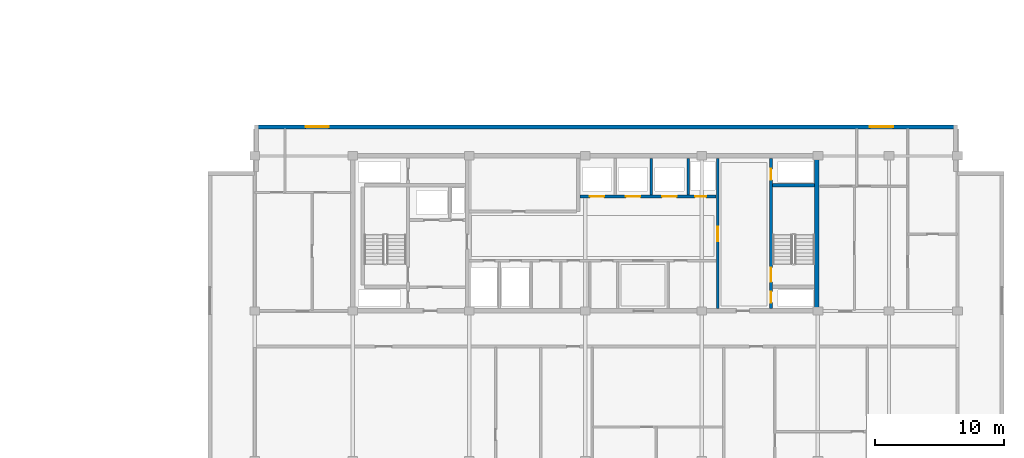
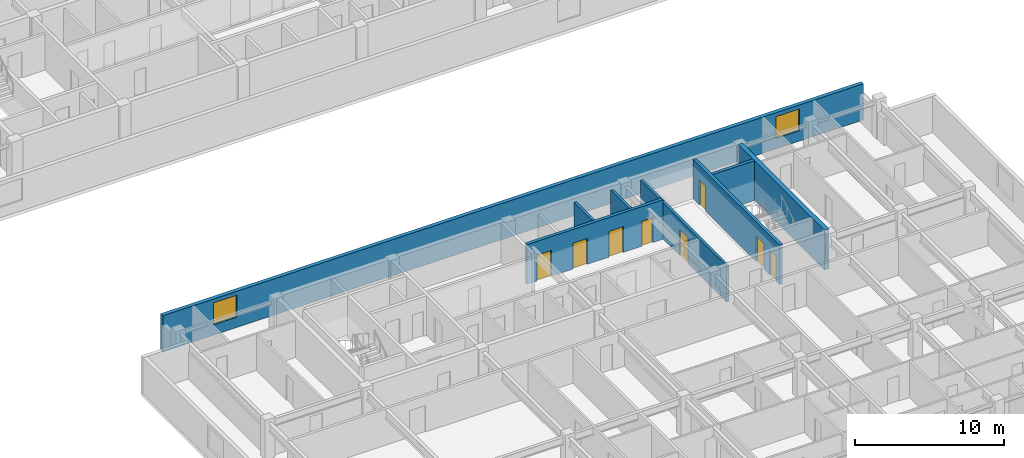
# One storey, part 19 of 32: 8 doors, 8 walls, 2 windows, 10 openings.
"""IFC4 building model written with IfcOpenShell, lengths in metres."""

from ifc_helpers import new_model, si_unit, direction, frame, frame_2d, origin, place, context, subcontext, project, spatial, rectangle, extrude, material, layer, layer_set, type_object, element, fill, save


model = new_model("IFC4")

# Units and contexts
model_context = context("Model", 3, precision=1e-05, world=origin(), true_north=direction((0.0, 1.0)))
body_context = subcontext(model_context, "Body", "Model", "MODEL_VIEW")
ifc_project = project(units=[si_unit("LENGTHUNIT", "METRE"), si_unit("AREAUNIT", "SQUARE_METRE"), si_unit("VOLUMEUNIT", "CUBIC_METRE"), si_unit("PLANEANGLEUNIT", "RADIAN"), si_unit("MASSUNIT", "GRAM", prefix="KILO")], contexts=[model_context])

# Site, building, storey
site_placement = place(None, origin())
site = spatial("IfcSite", under=ifc_project, at=site_placement, CompositionType="ELEMENT")
building_placement = place(site_placement, origin())
building = spatial("IfcBuilding", under=site, at=building_placement, Name="Korimba Cascade Residences", CompositionType="ELEMENT")
storey_placement = place(building_placement, frame((0.0, 0.0, 178.35009765625)))
storey = spatial("IfcBuildingStorey", under=building, at=storey_placement, Name="L51", CompositionType="ELEMENT", Elevation=178.35009765625)

# Wall, openings, windows
ifc_material_1 = material(Name="Precast concrete C40/50", Category="concrete")
ifc_layer_1 = layer(ifc_material_1, 0.300048828125)
ifc_layer_set_1 = layer_set([ifc_layer_1], Name="Precast concrete C40/50")
wall_type_1 = type_object("IfcWallType", Name="EW-STONE-300", PredefinedType="STANDARD", material=ifc_layer_set_1)
wall_1_placement = place(storey_placement, frame((128.89990234375, 32.64990234375, 0.0), z_axis=(0.0, 0.0, 1.0), x_axis=(-1.0, 0.0, 0.0)))
wall_1 = element("IfcWall", 1, at=wall_1_placement, inside=storey, type_object=wall_type_1, Name="L51 T2 Perimeter Stone Wall E06", PredefinedType="STANDARD", context=body_context, shape_type="SweptSolid", body=[
    extrude(rectangle(XDim=54.39990234375, YDim=0.300048828125, at=frame_2d((27.199951171875, 0.0))), origin(), (0.0, 0.0, 1.0), 2.969970703125),
])
opening_1_placement = place(wall_1_placement, frame((48.64990234375, 0.0, 0.85009765625)))
opening_1 = element("IfcOpeningElement", 2, at=opening_1_placement, cuts=wall_1, Name="Opening W-02", PredefinedType="OPENING", context=body_context, shape_type="SweptSolid", body=[
    extrude(rectangle(XDim=1.800048828125, YDim=1.800048828125, at=frame_2d((0.89990234375, 0.89990234375))), frame((0.0, 0.16015625, 0.0), z_axis=(0.0, -1.0, 0.0), x_axis=(1.0, 0.0, 0.0)), (0.0, 0.0, 1.0), 0.320068359375),
])
opening_2_placement = place(wall_1_placement, frame((4.97509765625, 0.0, 0.85009765625)))
opening_2 = element("IfcOpeningElement", 3, at=opening_2_placement, cuts=wall_1, Name="Opening W-02", PredefinedType="OPENING", context=body_context, shape_type="SweptSolid", body=[
    extrude(rectangle(XDim=1.800048828125, YDim=1.800048828125, at=frame_2d((0.89990234375, 0.89990234375))), frame((0.0, 0.16015625, 0.0), z_axis=(0.0, -1.0, 0.0), x_axis=(1.0, 0.0, 0.0)), (0.0, 0.0, 1.0), 0.320068359375),
])
ifc_material_2 = material(Name="Double-Glazed Aluminium Window", Category="aluminium")
window_type = type_object("IfcWindowType", Name="WIN-BED-1800", PartitioningType="SINGLE_PANEL", PredefinedType="WINDOW", material=ifc_material_2)
window_1_placement = place(opening_1_placement, origin())
window_1 = element("IfcWindow", 4, at=window_1_placement, inside=storey, type_object=window_type, Name="L51 T2 North Corner Bedroom Window 1", OverallHeight=1.800048828125, OverallWidth=1.800048828125, PartitioningType="SINGLE_PANEL", PredefinedType="WINDOW", context=body_context, shape_type="SweptSolid", body=[
    extrude(rectangle(XDim=1.800048828125, YDim=1.800048828125, at=frame_2d((0.89990234375, 0.89990234375))), frame((0.0, 0.030029296875, 0.0), z_axis=(0.0, -1.0, 0.0), x_axis=(1.0, 0.0, 0.0)), (0.0, 0.0, 1.0), 0.06005859375),
])
fill(opening_1, window_1)
window_2_placement = place(opening_2_placement, origin())
window_2 = element("IfcWindow", 5, at=window_2_placement, inside=storey, type_object=window_type, Name="L51 T2 North Corner Bedroom Window 2", OverallHeight=1.800048828125, OverallWidth=1.800048828125, PartitioningType="SINGLE_PANEL", PredefinedType="WINDOW", context=body_context, shape_type="SweptSolid", body=[
    extrude(rectangle(XDim=1.800048828125, YDim=1.800048828125, at=frame_2d((0.89990234375, 0.89990234375))), frame((0.0, 0.030029296875, 0.0), z_axis=(0.0, -1.0, 0.0), x_axis=(1.0, 0.0, 0.0)), (0.0, 0.0, 1.0), 0.06005859375),
])
fill(opening_2, window_2)

# Walls
ifc_material_3 = material(Name="Concrete C65/80", Category="concrete")
ifc_layer_2 = layer(ifc_material_3, 0.35009765625)
ifc_layer_set_2 = layer_set([ifc_layer_2], Name="Concrete C65/80")
wall_type_2 = type_object("IfcWallType", Name="WAL-CORE-350", PredefinedType="SHEAR", material=ifc_layer_set_2)
wall_2_placement = place(storey_placement, frame((118.014892578125, 18.574951171875, 0.0), z_axis=(0.0, 0.0, 1.0), x_axis=(0.0, 1.0, 0.0)))
element("IfcWall", 6, at=wall_2_placement, inside=storey, type_object=wall_type_2, Name="L51 Core Shear Wall CW-L51-T2-E", PredefinedType="SHEAR", context=body_context, shape_type="SweptSolid", body=[
    extrude(rectangle(XDim=11.650146484375, YDim=0.35009765625, at=frame_2d((5.8251953125, 0.0))), origin(), (0.0, 0.0, 1.0), 3.25),
])
ifc_material_4 = material(Name="Concrete C40/50", Category="concrete")
ifc_layer_3 = layer(ifc_material_4, 0.199951171875)
ifc_layer_set_3 = layer_set([ifc_layer_3], Name="Concrete C40/50")
wall_type_3 = type_object("IfcWallType", Name="WAL-PART-200", PredefinedType="PARTITIONING", material=ifc_layer_set_3)
for number, where, z_axis, x_axis, name in (
    (7, (105.199951171875, 27.3798828125, 0.0), (0.0, 0.0, 1.0), (0.0, 1.0, 0.0), "L51 Partition Wall CW-L51-T2-B2D2"),
    (8, (108.050048828125, 27.3798828125, 0.0), (0.0, 0.0, 1.0), (0.0, 1.0, 0.0), "L51 Partition Wall CW-L51-T2-B2D3"),
):
    element("IfcWall", number, at=place(storey_placement, frame(where, z_axis=z_axis, x_axis=x_axis)), inside=storey, type_object=wall_type_3, Name=name, PredefinedType="PARTITIONING", context=body_context, shape_type="SweptSolid", body=[
        extrude(rectangle(XDim=2.820068359375, YDim=0.199951171875, at=frame_2d((1.41015625, 0.0))), origin(), (0.0, 0.0, 1.0), 2.969970703125),
    ])

# Wall, opening, door
wall_3_placement = place(storey_placement, frame((110.35009765625, 18.60009765625, 0.0), z_axis=(0.0, 0.0, 1.0), x_axis=(0.0, 1.0, 0.0)))
wall_3 = element("IfcWall", 9, at=wall_3_placement, inside=storey, type_object=wall_type_3, Name="L51 Partition Wall CW-L51-T2-LLEV", PredefinedType="PARTITIONING", context=body_context, shape_type="SweptSolid", body=[
    extrude(rectangle(XDim=11.599853515625, YDim=0.199951171875, at=frame_2d((5.7998046875, 0.0))), origin(), (0.0, 0.0, 1.0), 2.969970703125),
])
opening_3_placement = place(wall_3_placement, frame((5.199951171875, 0.0, 0.0)))
opening_3 = element("IfcOpeningElement", 10, at=opening_3_placement, cuts=wall_3, Name="Opening D-FD6", PredefinedType="OPENING", context=body_context, shape_type="SweptSolid", body=[
    extrude(rectangle(XDim=1.10009765625, YDim=2.14990234375, at=frame_2d((0.550048828125, 1.074951171875))), frame((0.0, 0.10986328125, 0.0), z_axis=(0.0, -1.0, 0.0), x_axis=(1.0, 0.0, 0.0)), (0.0, 0.0, 1.0), 0.219970703125),
])
ifc_material_5 = material(Name="Fire-Rated Timber Stair Lobby Door", Category="wood")
door_type_1 = type_object("IfcDoorType", Name="DR-FD90-1100", OperationType="NOTDEFINED", PredefinedType="DOOR", material=ifc_material_5)
door_1_placement = place(opening_3_placement, origin())
door_1 = element("IfcDoor", 11, at=door_1_placement, inside=storey, type_object=door_type_1, Name="L51 T2 Lift Lobby to East Stair Lobby Door", OperationType="SINGLE_SWING_LEFT", OverallHeight=2.14990234375, OverallWidth=1.10009765625, PredefinedType="DOOR", context=body_context, shape_type="SweptSolid", body=[
    extrude(rectangle(XDim=1.10009765625, YDim=2.14990234375, at=frame_2d((0.550048828125, 1.074951171875))), frame((0.0, 0.02490234375, 0.0), z_axis=(0.0, -1.0, 0.0), x_axis=(1.0, 0.0, 0.0)), (0.0, 0.0, 1.0), 0.050048828125),
])
fill(opening_3, door_1)

# Wall, openings, doors
ifc_material_6 = material(Name="Concrete C50/60", Category="concrete")
ifc_layer_4 = layer(ifc_material_6, 0.25)
ifc_layer_set_4 = layer_set([ifc_layer_4], Name="Concrete C50/60")
wall_type_4 = type_object("IfcWallType", Name="WAL-SHAFT-250", PredefinedType="SHEAR", material=ifc_layer_set_4)
wall_4_placement = place(storey_placement, frame((99.679931640625, 27.25, 0.0), z_axis=(0.0, 0.0, 1.0), x_axis=(1.0, 0.0, 0.0)))
wall_4 = element("IfcWall", 12, at=wall_4_placement, inside=storey, type_object=wall_type_4, Name="L51 Core Shear Wall CW-L51-T2-B2S", PredefinedType="SHEAR", context=body_context, shape_type="SweptSolid", body=[
    extrude(rectangle(XDim=10.5400390625, YDim=0.25, at=frame_2d((5.27001953125, 0.0))), origin(), (0.0, 0.0, 1.0), 3.25),
])
opening_4_placement = place(wall_4_placement, frame((0.760009765625, 0.0, 0.0)))
opening_4 = element("IfcOpeningElement", 13, at=opening_4_placement, cuts=wall_4, Name="Opening LD-01", PredefinedType="OPENING", context=body_context, shape_type="SweptSolid", body=[
    extrude(rectangle(XDim=1.1201171875, YDim=2.1201171875, at=frame_2d((0.56005859375, 1.06005859375))), frame((0.0, 0.135009765625, 0.0), z_axis=(0.0, -1.0, 0.0), x_axis=(1.0, 0.0, 0.0)), (0.0, 0.0, 1.0), 0.27001953125),
])
opening_5_placement = place(wall_4_placement, frame((3.56005859375, 0.0, 0.0)))
opening_5 = element("IfcOpeningElement", 14, at=opening_5_placement, cuts=wall_4, Name="Opening LD-01", PredefinedType="OPENING", context=body_context, shape_type="SweptSolid", body=[
    extrude(rectangle(XDim=1.1201171875, YDim=2.1201171875, at=frame_2d((0.56005859375, 1.06005859375))), frame((0.0, 0.135009765625, 0.0), z_axis=(0.0, -1.0, 0.0), x_axis=(1.0, 0.0, 0.0)), (0.0, 0.0, 1.0), 0.27001953125),
])
opening_6_placement = place(wall_4_placement, frame((6.360107421875, 0.0, 0.0)))
opening_6 = element("IfcOpeningElement", 15, at=opening_6_placement, cuts=wall_4, Name="Opening LD-01", PredefinedType="OPENING", context=body_context, shape_type="SweptSolid", body=[
    extrude(rectangle(XDim=1.1201171875, YDim=2.1201171875, at=frame_2d((0.56005859375, 1.06005859375))), frame((0.0, 0.135009765625, 0.0), z_axis=(0.0, -1.0, 0.0), x_axis=(1.0, 0.0, 0.0)), (0.0, 0.0, 1.0), 0.27001953125),
])
opening_7_placement = place(wall_4_placement, frame((8.919921875, 0.0, 0.0)))
opening_7 = element("IfcOpeningElement", 16, at=opening_7_placement, cuts=wall_4, Name="Opening D-RS1", PredefinedType="OPENING", context=body_context, shape_type="SweptSolid", body=[
    extrude(rectangle(XDim=0.85009765625, YDim=2.050048828125, at=frame_2d((0.425048828125, 1.02490234375))), frame((0.0, 0.135009765625, 0.0), z_axis=(0.0, -1.0, 0.0), x_axis=(1.0, 0.0, 0.0)), (0.0, 0.0, 1.0), 0.27001953125),
])
ifc_material_7 = material(Name="Fire-Rated Steel Riser Access Door", Category="steel")
door_type_2 = type_object("IfcDoorType", Name="DR-FD60-850", OperationType="NOTDEFINED", PredefinedType="DOOR", material=ifc_material_7)
door_2_placement = place(opening_7_placement, origin())
door_2 = element("IfcDoor", 17, at=door_2_placement, inside=storey, type_object=door_type_2, Name="L51 T2 Duct Door", OperationType="SINGLE_SWING_RIGHT", OverallHeight=2.050048828125, OverallWidth=0.85009765625, PredefinedType="DOOR", context=body_context, shape_type="SweptSolid", body=[
    extrude(rectangle(XDim=0.85009765625, YDim=2.050048828125, at=frame_2d((0.425048828125, 1.02490234375))), frame((0.0, 0.02490234375, 0.0), z_axis=(0.0, -1.0, 0.0), x_axis=(1.0, 0.0, 0.0)), (0.0, 0.0, 1.0), 0.050048828125),
])
fill(opening_7, door_2)
ifc_material_8 = material(Name="Stainless Steel Lift Landing Sliding Door", Category="steel")
door_type_3 = type_object("IfcDoorType", Name="DR-LIFT-1100", OperationType="NOTDEFINED", PredefinedType="DOOR", material=ifc_material_8)
door_3_placement = place(opening_4_placement, origin())
door_3 = element("IfcDoor", 18, at=door_3_placement, inside=storey, type_object=door_type_3, Name="L51 Lift Landing Door PL-E4", OperationType="SLIDING_TO_RIGHT", OverallHeight=2.1201171875, OverallWidth=1.1201171875, PredefinedType="DOOR", context=body_context, shape_type="SweptSolid", body=[
    extrude(rectangle(XDim=1.1201171875, YDim=2.1201171875, at=frame_2d((0.56005859375, 1.06005859375))), frame((0.0, 0.02490234375, 0.0), z_axis=(0.0, -1.0, 0.0), x_axis=(1.0, 0.0, 0.0)), (0.0, 0.0, 1.0), 0.050048828125),
])
fill(opening_4, door_3)
door_4_placement = place(opening_5_placement, origin())
door_4 = element("IfcDoor", 19, at=door_4_placement, inside=storey, type_object=door_type_3, Name="L51 Lift Landing Door PL-E5", OperationType="SLIDING_TO_RIGHT", OverallHeight=2.1201171875, OverallWidth=1.1201171875, PredefinedType="DOOR", context=body_context, shape_type="SweptSolid", body=[
    extrude(rectangle(XDim=1.1201171875, YDim=2.1201171875, at=frame_2d((0.56005859375, 1.06005859375))), frame((0.0, 0.02490234375, 0.0), z_axis=(0.0, -1.0, 0.0), x_axis=(1.0, 0.0, 0.0)), (0.0, 0.0, 1.0), 0.050048828125),
])
fill(opening_5, door_4)
door_5_placement = place(opening_6_placement, origin())
door_5 = element("IfcDoor", 20, at=door_5_placement, inside=storey, type_object=door_type_3, Name="L51 Lift Landing Door PL-E6", OperationType="SLIDING_TO_RIGHT", OverallHeight=2.1201171875, OverallWidth=1.1201171875, PredefinedType="DOOR", context=body_context, shape_type="SweptSolid", body=[
    extrude(rectangle(XDim=1.1201171875, YDim=2.1201171875, at=frame_2d((0.56005859375, 1.06005859375))), frame((0.0, 0.02490234375, 0.0), z_axis=(0.0, -1.0, 0.0), x_axis=(1.0, 0.0, 0.0)), (0.0, 0.0, 1.0), 0.050048828125),
])
fill(opening_6, door_5)

wall_5_placement = place(storey_placement, frame((114.47509765625, 18.60009765625, 0.0), z_axis=(0.0, 0.0, 1.0), x_axis=(0.0, 1.0, 0.0)))
wall_5 = element("IfcWall", 21, at=wall_5_placement, inside=storey, type_object=wall_type_4, Name="L51 Core Shear Wall CW-L51-T2-STE2W", PredefinedType="SHEAR", context=body_context, shape_type="SweptSolid", body=[
    extrude(rectangle(XDim=11.599853515625, YDim=0.25, at=frame_2d((5.7998046875, 0.0))), origin(), (0.0, 0.0, 1.0), 3.25),
])
opening_8_placement = place(wall_5_placement, frame((0.449951171875, 0.0, 0.0)))
opening_8 = element("IfcOpeningElement", 22, at=opening_8_placement, cuts=wall_5, Name="Opening D-RS1", PredefinedType="OPENING", context=body_context, shape_type="SweptSolid", body=[
    extrude(rectangle(XDim=0.85009765625, YDim=2.050048828125, at=frame_2d((0.425048828125, 1.02490234375))), frame((0.0, 0.135009765625, 0.0), z_axis=(0.0, -1.0, 0.0), x_axis=(1.0, 0.0, 0.0)), (0.0, 0.0, 1.0), 0.27001953125),
])
opening_9_placement = place(wall_5_placement, frame((2.050048828125, 0.0, 0.0)))
opening_9 = element("IfcOpeningElement", 23, at=opening_9_placement, cuts=wall_5, Name="Opening D-FD1", PredefinedType="OPENING", context=body_context, shape_type="SweptSolid", body=[
    extrude(rectangle(XDim=1.10009765625, YDim=2.10009765625, at=frame_2d((0.550048828125, 1.050048828125))), frame((0.0, 0.135009765625, 0.0), z_axis=(0.0, -1.0, 0.0), x_axis=(1.0, 0.0, 0.0)), (0.0, 0.0, 1.0), 0.27001953125),
])
opening_10_placement = place(wall_5_placement, frame((9.949951171875, 0.0, 0.0)))
opening_10 = element("IfcOpeningElement", 24, at=opening_10_placement, cuts=wall_5, Name="Opening D-RS1", PredefinedType="OPENING", context=body_context, shape_type="SweptSolid", body=[
    extrude(rectangle(XDim=0.85009765625, YDim=2.050048828125, at=frame_2d((0.425048828125, 1.02490234375))), frame((0.0, 0.135009765625, 0.0), z_axis=(0.0, -1.0, 0.0), x_axis=(1.0, 0.0, 0.0)), (0.0, 0.0, 1.0), 0.27001953125),
])
ifc_material_9 = material(Name="Fire-Rated Steel Core Door", Category="steel")
door_type_4 = type_object("IfcDoorType", Name="DR-FD120-1100", OperationType="NOTDEFINED", PredefinedType="DOOR", material=ifc_material_9)
door_6_placement = place(opening_9_placement, origin())
door_6 = element("IfcDoor", 25, at=door_6_placement, inside=storey, type_object=door_type_4, Name="L51 Fire Stair ST-E2 Door", OperationType="SINGLE_SWING_LEFT", OverallHeight=2.10009765625, OverallWidth=1.10009765625, PredefinedType="DOOR", context=body_context, shape_type="SweptSolid", body=[
    extrude(rectangle(XDim=1.10009765625, YDim=2.10009765625, at=frame_2d((0.550048828125, 1.050048828125))), frame((0.0, 0.02490234375, 0.0), z_axis=(0.0, -1.0, 0.0), x_axis=(1.0, 0.0, 0.0)), (0.0, 0.0, 1.0), 0.050048828125),
])
fill(opening_9, door_6)
door_7_placement = place(opening_8_placement, origin())
door_7 = element("IfcDoor", 26, at=door_7_placement, inside=storey, type_object=door_type_2, Name="L51 T2 East Hydrant Door", OperationType="SINGLE_SWING_RIGHT", OverallHeight=2.050048828125, OverallWidth=0.85009765625, PredefinedType="DOOR", context=body_context, shape_type="SweptSolid", body=[
    extrude(rectangle(XDim=0.85009765625, YDim=2.050048828125, at=frame_2d((0.425048828125, 1.02490234375))), frame((0.0, 0.02490234375, 0.0), z_axis=(0.0, -1.0, 0.0), x_axis=(1.0, 0.0, 0.0)), (0.0, 0.0, 1.0), 0.050048828125),
])
fill(opening_8, door_7)
door_8_placement = place(opening_10_placement, origin())
door_8 = element("IfcDoor", 27, at=door_8_placement, inside=storey, type_object=door_type_2, Name="L51 T2 East Riser Door", OperationType="SINGLE_SWING_RIGHT", OverallHeight=2.050048828125, OverallWidth=0.85009765625, PredefinedType="DOOR", context=body_context, shape_type="SweptSolid", body=[
    extrude(rectangle(XDim=0.85009765625, YDim=2.050048828125, at=frame_2d((0.425048828125, 1.02490234375))), frame((0.0, 0.02490234375, 0.0), z_axis=(0.0, -1.0, 0.0), x_axis=(1.0, 0.0, 0.0)), (0.0, 0.0, 1.0), 0.050048828125),
])
fill(opening_10, door_8)

# Wall
wall_6_placement = place(storey_placement, frame((114.60009765625, 28.125, 0.0), z_axis=(0.0, 0.0, 1.0), x_axis=(1.0, 0.0, 0.0)))
element("IfcWall", 28, at=wall_6_placement, inside=storey, type_object=wall_type_4, Name="L51 Core Shear Wall CW-L51-T2-STE2N", PredefinedType="SHEAR", context=body_context, shape_type="SweptSolid", body=[
    extrude(rectangle(XDim=3.239990234375, YDim=0.25, at=frame_2d((1.6201171875, 0.0))), origin(), (0.0, 0.0, 1.0), 3.25),
])

save(model, "model.ifc")
